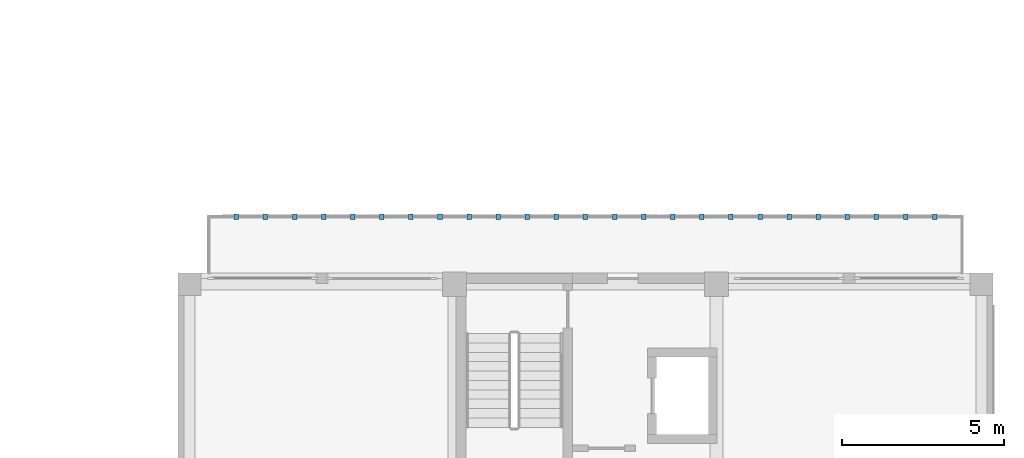
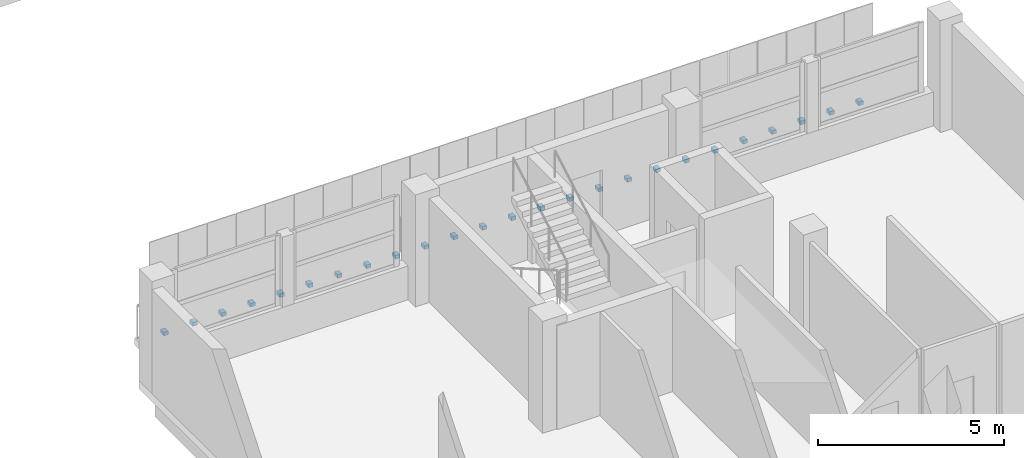
# One storey, part 55 of 73: 25 discrete accessories.
"""IFC4 building model written with IfcOpenShell, lengths in metres."""

from ifc_helpers import new_model, si_unit, derived_unit, direction, frame, origin, origin_2d, place, context, subcontext, project, spatial, rectangle, extrude, material, type_object, element, save


model = new_model("IFC4")

# Units and contexts
model_context = context("Model", 3, precision=1e-05, world=origin(), true_north=direction((0.0, 1.0)))
body_context = subcontext(model_context, "Body", "Model", "MODEL_VIEW")
ifc_project = project(units=[si_unit("LENGTHUNIT", "METRE"), si_unit("AREAUNIT", "SQUARE_METRE"), si_unit("VOLUMEUNIT", "CUBIC_METRE"), si_unit("PLANEANGLEUNIT", "RADIAN"), si_unit("MASSUNIT", "GRAM", prefix="KILO"), derived_unit("THERMALTRANSMITTANCEUNIT", [(si_unit("MASSUNIT", "GRAM", prefix="KILO"), 1), (si_unit("TIMEUNIT", "SECOND"), -3), (si_unit("THERMODYNAMICTEMPERATUREUNIT", "KELVIN"), -1)])], contexts=[model_context])

# Site, building, storey
site_placement = place(None, origin())
site = spatial("IfcSite", under=ifc_project, at=site_placement, CompositionType="ELEMENT")
building_placement = place(site_placement, origin())
building = spatial("IfcBuilding", under=site, at=building_placement, Name="Ochrekiln Boulevard Commons", CompositionType="ELEMENT")
storey_placement = place(building_placement, frame((0.0, 0.0, 4.89990234375)))
storey = spatial("IfcBuildingStorey", under=building, at=storey_placement, Name="L01", CompositionType="ELEMENT", Elevation=4.89990234375)

# Discrete accessories
ifc_material = material(Name="Steel A992 Grade 50", Category="steel")
discrete_accessory_type = type_object("IfcDiscreteAccessoryType", Name="ACC-BRK-CLEAT", PredefinedType="BRACKET", material=ifc_material)
for number, where, z_axis, x_axis, name in (
    (1, (149.39990234375, 52.139892578125, -0.139892578125), (0.0, 0.0, 1.0), (1.0, 0.0, 0.0), "Bronze Screen Slab-Edge Support Bracket 1"),
    (2, (150.300048828125, 52.139892578125, -0.139892578125), (0.0, 0.0, 1.0), (1.0, 0.0, 0.0), "Bronze Screen Slab-Edge Support Bracket 2"),
    (3, (151.199951171875, 52.139892578125, -0.139892578125), (0.0, 0.0, 1.0), (1.0, 0.0, 0.0), "Bronze Screen Slab-Edge Support Bracket 3"),
    (4, (152.10009765625, 52.139892578125, -0.139892578125), (0.0, 0.0, 1.0), (1.0, 0.0, 0.0), "Bronze Screen Slab-Edge Support Bracket 4"),
    (5, (153.0, 52.139892578125, -0.139892578125), (0.0, 0.0, 1.0), (1.0, 0.0, 0.0), "Bronze Screen Slab-Edge Support Bracket 5"),
    (6, (153.89990234375, 52.139892578125, -0.139892578125), (0.0, 0.0, 1.0), (1.0, 0.0, 0.0), "Bronze Screen Slab-Edge Support Bracket 6"),
    (7, (154.800048828125, 52.139892578125, -0.139892578125), (0.0, 0.0, 1.0), (1.0, 0.0, 0.0), "Bronze Screen Slab-Edge Support Bracket 7"),
    (8, (155.699951171875, 52.139892578125, -0.139892578125), (0.0, 0.0, 1.0), (1.0, 0.0, 0.0), "Bronze Screen Slab-Edge Support Bracket 8"),
    (9, (156.60009765625, 52.139892578125, -0.139892578125), (0.0, 0.0, 1.0), (1.0, 0.0, 0.0), "Bronze Screen Slab-Edge Support Bracket 9"),
    (10, (157.5, 52.139892578125, -0.139892578125), (0.0, 0.0, 1.0), (1.0, 0.0, 0.0), "Bronze Screen Slab-Edge Support Bracket 10"),
    (11, (158.39990234375, 52.139892578125, -0.139892578125), (0.0, 0.0, 1.0), (1.0, 0.0, 0.0), "Bronze Screen Slab-Edge Support Bracket 11"),
    (12, (159.300048828125, 52.139892578125, -0.139892578125), (0.0, 0.0, 1.0), (1.0, 0.0, 0.0), "Bronze Screen Slab-Edge Support Bracket 12"),
    (13, (160.199951171875, 52.139892578125, -0.139892578125), (0.0, 0.0, 1.0), (1.0, 0.0, 0.0), "Bronze Screen Slab-Edge Support Bracket 13"),
    (14, (161.10009765625, 52.139892578125, -0.139892578125), (0.0, 0.0, 1.0), (1.0, 0.0, 0.0), "Bronze Screen Slab-Edge Support Bracket 14"),
    (15, (162.0, 52.139892578125, -0.139892578125), (0.0, 0.0, 1.0), (1.0, 0.0, 0.0), "Bronze Screen Slab-Edge Support Bracket 15"),
    (16, (162.89990234375, 52.139892578125, -0.139892578125), (0.0, 0.0, 1.0), (1.0, 0.0, 0.0), "Bronze Screen Slab-Edge Support Bracket 16"),
    (17, (163.800048828125, 52.139892578125, -0.139892578125), (0.0, 0.0, 1.0), (1.0, 0.0, 0.0), "Bronze Screen Slab-Edge Support Bracket 17"),
    (18, (164.699951171875, 52.139892578125, -0.139892578125), (0.0, 0.0, 1.0), (1.0, 0.0, 0.0), "Bronze Screen Slab-Edge Support Bracket 18"),
    (19, (165.60009765625, 52.139892578125, -0.139892578125), (0.0, 0.0, 1.0), (1.0, 0.0, 0.0), "Bronze Screen Slab-Edge Support Bracket 19"),
    (20, (166.5, 52.139892578125, -0.139892578125), (0.0, 0.0, 1.0), (1.0, 0.0, 0.0), "Bronze Screen Slab-Edge Support Bracket 20"),
    (21, (167.39990234375, 52.139892578125, -0.139892578125), (0.0, 0.0, 1.0), (1.0, 0.0, 0.0), "Bronze Screen Slab-Edge Support Bracket 21"),
    (22, (168.300048828125, 52.139892578125, -0.139892578125), (0.0, 0.0, 1.0), (1.0, 0.0, 0.0), "Bronze Screen Slab-Edge Support Bracket 22"),
    (23, (169.199951171875, 52.139892578125, -0.139892578125), (0.0, 0.0, 1.0), (1.0, 0.0, 0.0), "Bronze Screen Slab-Edge Support Bracket 23"),
    (24, (170.10009765625, 52.139892578125, -0.139892578125), (0.0, 0.0, 1.0), (1.0, 0.0, 0.0), "Bronze Screen Slab-Edge Support Bracket 24"),
    (25, (171.0, 52.139892578125, -0.139892578125), (0.0, 0.0, 1.0), (1.0, 0.0, 0.0), "Bronze Screen Slab-Edge Support Bracket 25"),
):
    element("IfcDiscreteAccessory", number, at=place(storey_placement, frame(where, z_axis=z_axis, x_axis=x_axis)), inside=storey, type_object=discrete_accessory_type, Name=name, PredefinedType="BRACKET", context=body_context, shape_type="SweptSolid", body=[
        extrude(rectangle(XDim=0.139892578125, YDim=0.179931640625, at=origin_2d()), origin(), (0.0, 0.0, 1.0), 0.1201171875),
    ])

save(model, "model.ifc")
